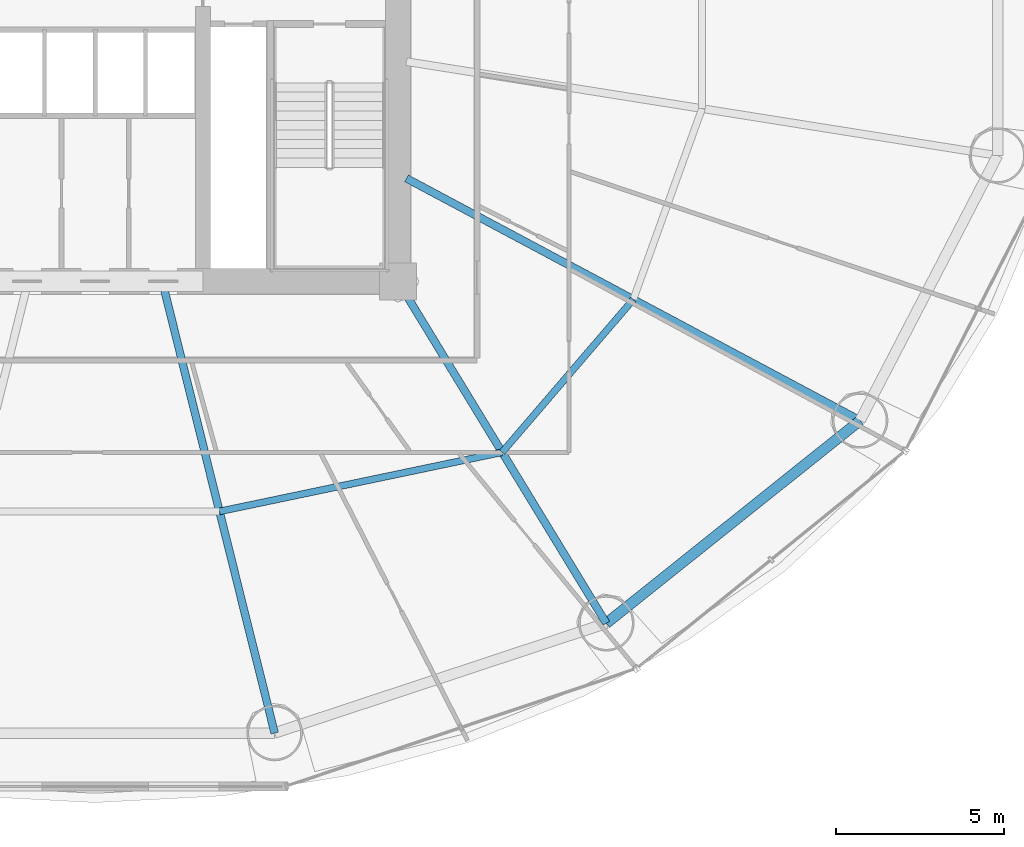
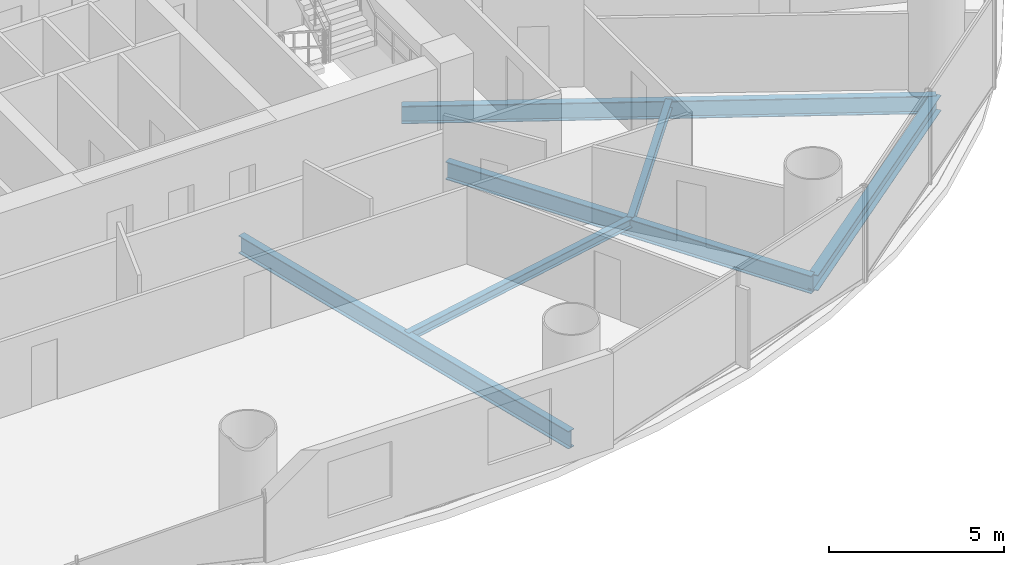
# One storey, part 9 of 28: 6 beams.
"""IFC4 building model written with IfcOpenShell, lengths in metres."""

from ifc_helpers import new_model, si_unit, direction, frame, origin, origin_2d, place, context, subcontext, project, spatial, i_section, extrude, material, material_profile, profile_set, type_object, element, save


model = new_model("IFC4")

# Units and contexts
model_context = context("Model", 3, precision=1e-05, world=origin(), true_north=direction((-0.2419218956, 0.970295726276)))
body_context = subcontext(model_context, "Body", "Model", "MODEL_VIEW")
ifc_project = project(units=[si_unit("LENGTHUNIT", "METRE"), si_unit("AREAUNIT", "SQUARE_METRE"), si_unit("VOLUMEUNIT", "CUBIC_METRE"), si_unit("PLANEANGLEUNIT", "RADIAN"), si_unit("MASSUNIT", "GRAM", prefix="KILO")], contexts=[model_context])

# Site, building, storey
site_placement = place(None, origin())
site = spatial("IfcSite", under=ifc_project, at=site_placement, CompositionType="ELEMENT")
building_placement = place(site_placement, origin())
building = spatial("IfcBuilding", under=site, at=building_placement, Name="Cobrevalo Terracotta Tower", CompositionType="ELEMENT")
storey_placement = place(building_placement, frame((0.0, 0.0, 38.39990234375)))
storey = spatial("IfcBuildingStorey", under=building, at=storey_placement, Name="L09", CompositionType="ELEMENT", Elevation=38.39990234375)

# Beams
ifc_material = material(Name="Steel S355", Category="steel")
ifc_material_profile_1 = material_profile(ifc_material, i_section(OverallWidth=0.22998046875, OverallDepth=0.616943359375, WebThickness=0.01318359375, FlangeThickness=0.022216796875, at=origin_2d()), Name="W 610x140")
ifc_profile_set_1 = profile_set([ifc_material_profile_1], Name="Steel S355")
beam_type_1 = type_object("IfcBeamType", Name="Structural Beam W 610x140 (Steel S355)", PredefinedType="BEAM", material=ifc_profile_set_1)
beam_1_placement = place(storey_placement, frame((43.335693359375, 5.369873046875, -0.58837890625), z_axis=(-0.241600470374, 0.970375810042, 0.0), x_axis=(-0.970375810042, -0.241600470374, 0.0)))
element("IfcBeam", 1, at=beam_1_placement, inside=storey, type_object=beam_type_1, Name="L09 radial floor girder 13", PredefinedType="BEAM", context=body_context, shape_type="SweptSolid", body=[
    extrude(i_section(OverallWidth=0.22998046875, OverallDepth=0.616943359375, WebThickness=0.01318359375, FlangeThickness=0.022216796875, at=origin_2d()), origin(), (0.0, 0.0, 1.0), 13.5771484375),
])
beam_2_placement = place(storey_placement, frame((53.19482421875, 8.63232421875, -0.58837890625), z_axis=(-0.520300780853, 0.853983077961, 0.0), x_axis=(-0.853983077961, -0.520300780853, 0.0)))
element("IfcBeam", 2, at=beam_2_placement, inside=storey, type_object=beam_type_1, Name="L09 radial floor girder 14", PredefinedType="BEAM", context=body_context, shape_type="SweptSolid", body=[
    extrude(i_section(OverallWidth=0.22998046875, OverallDepth=0.616943359375, WebThickness=0.01318359375, FlangeThickness=0.022216796875, at=origin_2d()), origin(), (0.0, 0.0, 1.0), 11.90625),
])
beam_3_placement = place(storey_placement, frame((60.74072265625, 14.660888671875, -0.58837890625), z_axis=(-0.88218223571, 0.470908168329, 0.0), x_axis=(-0.470908168329, -0.88218223571, 0.0)))
element("IfcBeam", 3, at=beam_3_placement, inside=storey, type_object=beam_type_1, Name="L09 radial floor girder 15", PredefinedType="BEAM", context=body_context, shape_type="SweptSolid", body=[
    extrude(i_section(OverallWidth=0.22998046875, OverallDepth=0.616943359375, WebThickness=0.01318359375, FlangeThickness=0.022216796875, at=origin_2d()), origin(), (0.0, 0.0, 1.0), 15.286865234375),
])
ifc_material_profile_2 = material_profile(ifc_material, i_section(OverallWidth=0.2041015625, OverallDepth=0.305908203125, WebThickness=0.008544921875, FlangeThickness=0.0146484375, at=origin_2d()), Name="W 310x67")
ifc_profile_set_2 = profile_set([ifc_material_profile_2], Name="Steel S355")
beam_type_2 = type_object("IfcBeamType", Name="Structural Joist W 310x67 (Steel S355)", PredefinedType="JOIST", material=ifc_profile_set_2)
beam_4_placement = place(storey_placement, frame((41.695556640625, 11.95751953125, -0.432861328125), z_axis=(0.978784523904, 0.204892302848, 0.0), x_axis=(-0.204892302848, 0.978784523904, 0.0)))
element("IfcBeam", 4, at=beam_4_placement, inside=storey, type_object=beam_type_2, Name="L09 circumferential secondary floor joist 13", PredefinedType="JOIST", context=body_context, shape_type="SweptSolid", body=[
    extrude(i_section(OverallWidth=0.2041015625, OverallDepth=0.305908203125, WebThickness=0.008544921875, FlangeThickness=0.0146484375, at=origin_2d()), origin(), (0.0, 0.0, 1.0), 8.583984375),
])
beam_5_placement = place(storey_placement, frame((50.097412109375, 13.71630859375, -0.432861328125), z_axis=(0.651328404454, 0.758795960421, 0.0), x_axis=(-0.758795960421, 0.651328404454, 0.0)))
element("IfcBeam", 5, at=beam_5_placement, inside=storey, type_object=beam_type_2, Name="L09 circumferential secondary floor joist 14", PredefinedType="JOIST", context=body_context, shape_type="SweptSolid", body=[
    extrude(i_section(OverallWidth=0.2041015625, OverallDepth=0.305908203125, WebThickness=0.008544921875, FlangeThickness=0.0146484375, at=origin_2d()), origin(), (0.0, 0.0, 1.0), 5.98828125),
])
ifc_material_profile_3 = material_profile(ifc_material, i_section(OverallWidth=0.31201171875, OverallDepth=0.54296875, WebThickness=0.0126953125, FlangeThickness=0.020263671875, at=origin_2d()), Name="W 530x150")
ifc_profile_set_3 = profile_set([ifc_material_profile_3], Name="Steel S355")
beam_type_3 = type_object("IfcBeamType", Name="Structural Spandrel W 530x150 (Steel S355)", PredefinedType="SPANDREL", material=ifc_profile_set_3)
beam_6_placement = place(storey_placement, frame((53.19482421875, 8.63232421875, -0.551513671875), z_axis=(0.781280479891, 0.62418011162, 0.0), x_axis=(-0.62418011162, 0.781280479891, 0.0)))
element("IfcBeam", 6, at=beam_6_placement, inside=storey, type_object=beam_type_3, Name="L09 perimeter ring spandrel 14", PredefinedType="SPANDREL", context=body_context, shape_type="SweptSolid", body=[
    extrude(i_section(OverallWidth=0.31201171875, OverallDepth=0.54296875, WebThickness=0.0126953125, FlangeThickness=0.020263671875, at=origin_2d()), origin(), (0.0, 0.0, 1.0), 9.658447265625),
])

save(model, "model.ifc")
